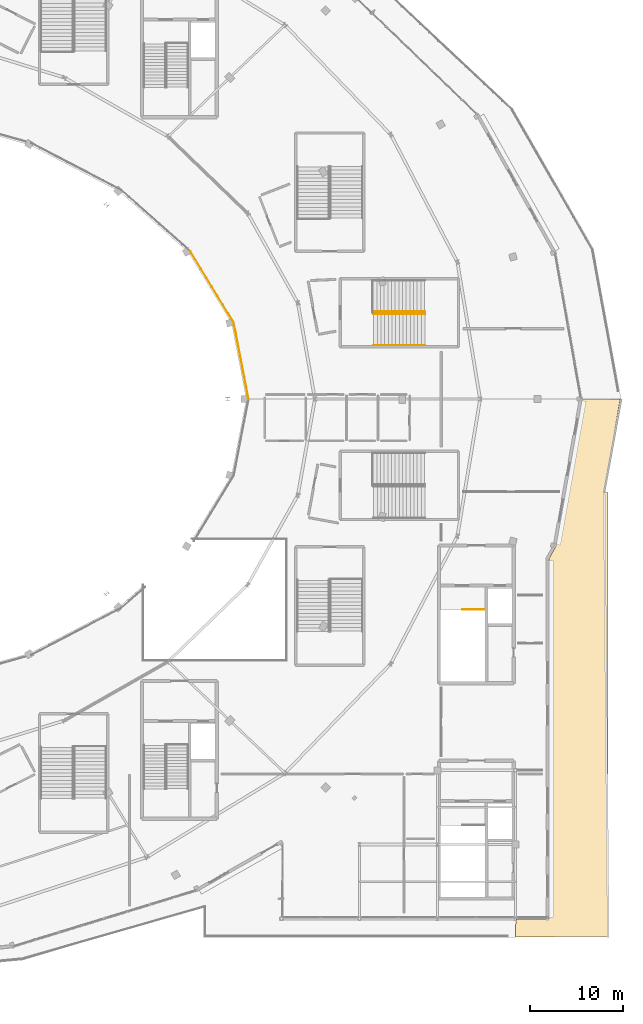
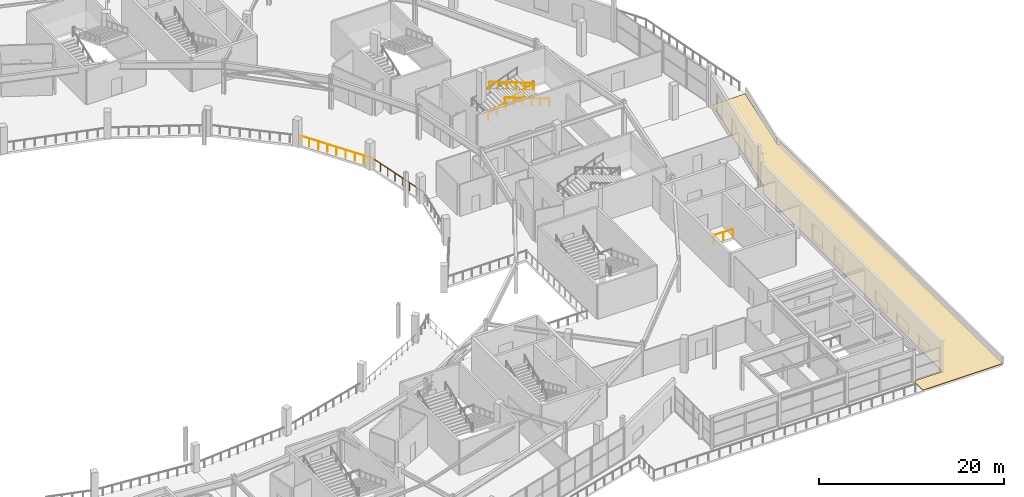
# One storey, part 121 of 123: 6 railings, 1 covering.
"""IFC4 building model written with IfcOpenShell, lengths in metres."""

from ifc_helpers import new_model, si_unit, direction, frame, origin, origin_2d, place, context, subcontext, project, spatial, polyline, circle, outline, extrude, material, layer, layer_set, type_object, element, save


model = new_model("IFC4")

# Units and contexts
model_context = context("Model", 3, precision=1e-05, world=origin(), true_north=direction((0.0, 1.0)))
body_context = subcontext(model_context, "Body", "Model", "MODEL_VIEW")
ifc_project = project(units=[si_unit("LENGTHUNIT", "METRE"), si_unit("AREAUNIT", "SQUARE_METRE"), si_unit("VOLUMEUNIT", "CUBIC_METRE"), si_unit("PLANEANGLEUNIT", "RADIAN"), si_unit("MASSUNIT", "GRAM", prefix="KILO")], contexts=[model_context])

# Site, building, storey
site_placement = place(None, origin())
site = spatial("IfcSite", under=ifc_project, at=site_placement, CompositionType="ELEMENT")
building_placement = place(site_placement, origin())
building = spatial("IfcBuilding", under=site, at=building_placement, Name="Kalgoora Escarpment Arena", CompositionType="ELEMENT")
storey_placement = place(building_placement, frame((0.0, 0.0, 9.89990234375)))
storey = spatial("IfcBuildingStorey", under=building, at=storey_placement, Name="L02", CompositionType="ELEMENT", Elevation=9.89990234375)

# Covering
ifc_material_1 = material(Name="Waterproof ballast roofing membrane")
ifc_layer = layer(ifc_material_1, 0.06005859375)
ifc_layer_set = layer_set([ifc_layer], Name="COV-ROOF-POD")
covering_type = type_object("IfcCoveringType", Name="COV-ROOF-POD", PredefinedType="ROOFING", material=ifc_layer_set)
covering_placement = place(storey_placement, origin())
element("IfcCovering", 1, at=covering_placement, inside=storey, type_object=covering_type, Name="L02 stepped podium roof membrane 1", PredefinedType="ROOFING", context=body_context, shape_type="SweptSolid", body=[
    extrude(outline(polyline([(171.599853515625, 8.0), (171.6005859375, 46.7548828125), (172.379150390625, 48.1630859375), (175.190673828125, 63.936767578125), (179.289794921875, 63.99951171875), (177.5703125, 54.0), (178.0, 53.89990234375), (177.99560546875, 6.071044921875), (168.01171875, 6.052978515625), (168.052978515625, 7.98828125), (171.599853515625, 8.0)])), origin(), (0.0, 0.0, 1.0), 0.06005859375),
])

# Railings
ifc_material_2 = material(Name="Galvanised & powdercoated tubular steel", Category="steel")
railing_type_1 = type_object("IfcRailingType", Name="RAL-GUARD-1120", PredefinedType="GUARDRAIL", material=ifc_material_2)
railing_1_placement = place(storey_placement, frame((164.68994140625, 41.31005859375, 0.0)))
element("IfcRailing", 2, at=railing_1_placement, inside=storey, type_object=railing_type_1, Name="ST07 top landing well guardrail", PredefinedType="GUARDRAIL", context=body_context, shape_type="SweptSolid", body=[
    extrude(circle(Radius=0.02392578125, at=origin_2d()), frame((0.0, 0.0, 1.09619140625), z_axis=(-1.0, 0.0, 0.0), x_axis=(0.0, -1.0, 0.0)), (0.0, 0.0, 1.0), 2.3798828125),
    extrude(circle(Radius=0.02099609375, at=origin_2d()), origin(), (0.0, 0.0, 1.0), 1.072021484375),
    extrude(circle(Radius=0.02099609375, at=origin_2d()), frame((-1.18994140625, 0.0, 0.0)), (0.0, 0.0, 1.0), 1.072021484375),
    extrude(circle(Radius=0.02099609375, at=origin_2d()), frame((-2.3798828125, 0.0, 0.0)), (0.0, 0.0, 1.0), 1.072021484375),
])
railing_2_placement = place(storey_placement, frame((139.25, 64.0, 0.0)))
element("IfcRailing", 3, at=railing_2_placement, inside=storey, type_object=railing_type_1, Name="L02 concourse bowl balustrade 01", PredefinedType="GUARDRAIL", context=body_context, shape_type="SweptSolid", body=[
    extrude(circle(Radius=0.02392578125, at=origin_2d()), frame((0.0, 0.0, 1.09619140625), z_axis=(-0.190129490405, 0.981759021796, 0.0), x_axis=(-0.981759021796, -0.190129490405, 0.0)), (0.0, 0.0, 1.0), 8.396484375),
    extrude(circle(Radius=0.02099609375, at=origin_2d()), origin(), (0.0, 0.0, 1.0), 1.072021484375),
    extrude(circle(Radius=0.02099609375, at=origin_2d()), frame((-0.22802734375, 1.177734375, 0.0)), (0.0, 0.0, 1.0), 1.072021484375),
    extrude(circle(Radius=0.02099609375, at=origin_2d()), frame((-0.4560546875, 2.355224609375, 0.0)), (0.0, 0.0, 1.0), 1.072021484375),
    extrude(circle(Radius=0.02099609375, at=origin_2d()), frame((-0.68408203125, 3.532958984375, 0.0)), (0.0, 0.0, 1.0), 1.072021484375),
    extrude(circle(Radius=0.02099609375, at=origin_2d()), frame((-0.912353515625, 4.71044921875, 0.0)), (0.0, 0.0, 1.0), 1.072021484375),
    extrude(circle(Radius=0.02099609375, at=origin_2d()), frame((-1.140380859375, 5.88818359375, 0.0)), (0.0, 0.0, 1.0), 1.072021484375),
    extrude(circle(Radius=0.02099609375, at=origin_2d()), frame((-1.368408203125, 7.065673828125, 0.0)), (0.0, 0.0, 1.0), 1.072021484375),
    extrude(circle(Radius=0.02099609375, at=origin_2d()), frame((-1.596435546875, 8.243408203125, 0.0)), (0.0, 0.0, 1.0), 1.072021484375),
])
railing_3_placement = place(storey_placement, frame((137.653564453125, 72.243408203125, 0.0)))
element("IfcRailing", 4, at=railing_3_placement, inside=storey, type_object=railing_type_1, Name="L02 concourse bowl balustrade 02", PredefinedType="GUARDRAIL", context=body_context, shape_type="SweptSolid", body=[
    extrude(circle(Radius=0.02392578125, at=origin_2d()), frame((0.0, 0.0, 1.09619140625), z_axis=(-0.520303373026, 0.853981498639, 0.0), x_axis=(-0.853981498639, -0.520303373026, 0.0)), (0.0, 0.0, 1.0), 8.9951171875),
    extrude(circle(Radius=0.02099609375, at=origin_2d()), origin(), (0.0, 0.0, 1.0), 1.072021484375),
    extrude(circle(Radius=0.02099609375, at=origin_2d()), frame((-0.5849609375, 0.960205078125, 0.0)), (0.0, 0.0, 1.0), 1.072021484375),
    extrude(circle(Radius=0.02099609375, at=origin_2d()), frame((-1.169921875, 1.92041015625, 0.0)), (0.0, 0.0, 1.0), 1.072021484375),
    extrude(circle(Radius=0.02099609375, at=origin_2d()), frame((-1.755126953125, 2.880615234375, 0.0)), (0.0, 0.0, 1.0), 1.072021484375),
    extrude(circle(Radius=0.02099609375, at=origin_2d()), frame((-2.340087890625, 3.8408203125, 0.0)), (0.0, 0.0, 1.0), 1.072021484375),
    extrude(circle(Radius=0.02099609375, at=origin_2d()), frame((-2.925048828125, 4.801025390625, 0.0)), (0.0, 0.0, 1.0), 1.072021484375),
    extrude(circle(Radius=0.02099609375, at=origin_2d()), frame((-3.51025390625, 5.76123046875, 0.0)), (0.0, 0.0, 1.0), 1.072021484375),
    extrude(circle(Radius=0.02099609375, at=origin_2d()), frame((-4.09521484375, 6.721435546875, 0.0)), (0.0, 0.0, 1.0), 1.072021484375),
    extrude(circle(Radius=0.02099609375, at=origin_2d()), frame((-4.68017578125, 7.681640625, 0.0)), (0.0, 0.0, 1.0), 1.072021484375),
])
ifc_material_3 = material(Name="Brushed stainless steel 316 handrail", Category="steel")
railing_type_2 = type_object("IfcRailingType", Name="RAL-HAND-920", PredefinedType="HANDRAIL", material=ifc_material_3)
railing_4_placement = place(storey_placement, frame((152.68994140625, 73.4150390625, 0.110107421875)))
element("IfcRailing", 5, at=railing_4_placement, inside=storey, type_object=railing_type_2, Name="ST21 L02 pitched stair handrail F1R", PredefinedType="HANDRAIL", context=body_context, shape_type="SweptSolid", body=[
    extrude(circle(Radius=0.02392578125, at=origin_2d()), frame((0.0, 0.0, 0.89599609375), z_axis=(0.935492612948, 0.0, 0.353346248203), x_axis=(0.0, 1.0, 0.0)), (0.0, 0.0, 1.0), 5.943359375),
    extrude(circle(Radius=0.02099609375, at=origin_2d()), origin(), (0.0, 0.0, 1.0), 0.871826171875),
    extrude(circle(Radius=0.02099609375, at=origin_2d()), frame((1.112060546875, 0.0, 0.419921875)), (0.0, 0.0, 1.0), 0.871826171875),
    extrude(circle(Radius=0.02099609375, at=origin_2d()), frame((2.22412109375, 0.0, 0.840087890625)), (0.0, 0.0, 1.0), 0.871826171875),
    extrude(circle(Radius=0.02099609375, at=origin_2d()), frame((3.3359375, 0.0, 1.260009765625)), (0.0, 0.0, 1.0), 0.871826171875),
    extrude(circle(Radius=0.02099609375, at=origin_2d()), frame((4.447998046875, 0.0, 1.68017578125)), (0.0, 0.0, 1.0), 0.871826171875),
    extrude(circle(Radius=0.02099609375, at=origin_2d()), frame((5.56005859375, 0.0, 2.10009765625)), (0.0, 0.0, 1.0), 0.871826171875),
])
for number, where, name in (
    (6, (158.25, 73.18505859375, 2.360107421875), "ST21 L02 pitched stair handrail F2L"),
    (7, (158.25, 69.800048828125, 2.360107421875), "ST21 L02 pitched stair handrail F2R"),
):
    element("IfcRailing", number, at=place(storey_placement, frame(where)), inside=storey, type_object=railing_type_2, Name=name, PredefinedType="HANDRAIL", context=body_context, shape_type="SweptSolid", body=[
        extrude(circle(Radius=0.02392578125, at=origin_2d()), frame((0.0, 0.0, 0.89599609375), z_axis=(-0.935492612948, 0.0, 0.353346248203), x_axis=(0.0, -1.0, 0.0)), (0.0, 0.0, 1.0), 5.943359375),
        extrude(circle(Radius=0.02099609375, at=origin_2d()), origin(), (0.0, 0.0, 1.0), 0.871826171875),
        extrude(circle(Radius=0.02099609375, at=origin_2d()), frame((-1.112060546875, 0.0, 0.419921875)), (0.0, 0.0, 1.0), 0.871826171875),
        extrude(circle(Radius=0.02099609375, at=origin_2d()), frame((-2.22412109375, 0.0, 0.840087890625)), (0.0, 0.0, 1.0), 0.871826171875),
        extrude(circle(Radius=0.02099609375, at=origin_2d()), frame((-3.3359375, 0.0, 1.260009765625)), (0.0, 0.0, 1.0), 0.871826171875),
        extrude(circle(Radius=0.02099609375, at=origin_2d()), frame((-4.447998046875, 0.0, 1.68017578125)), (0.0, 0.0, 1.0), 0.871826171875),
        extrude(circle(Radius=0.02099609375, at=origin_2d()), frame((-5.56005859375, 0.0, 2.10009765625)), (0.0, 0.0, 1.0), 0.871826171875),
    ])

save(model, "model.ifc")
